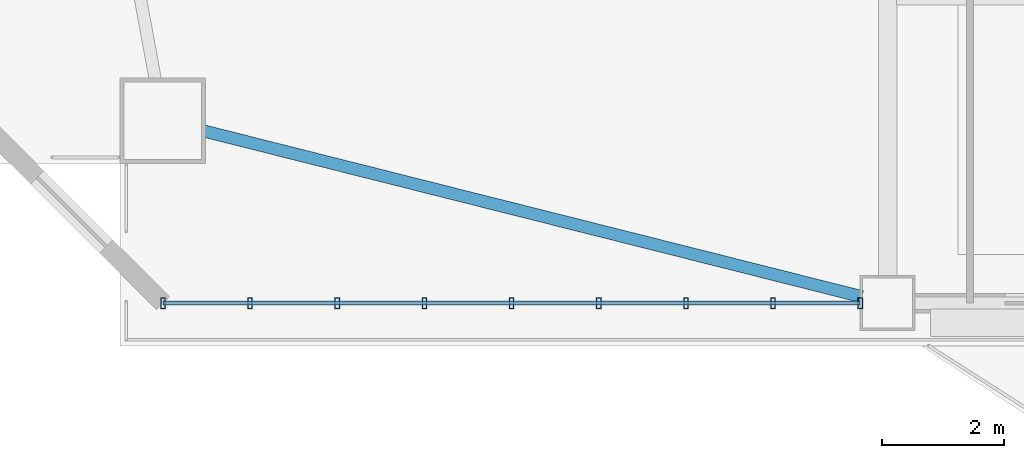
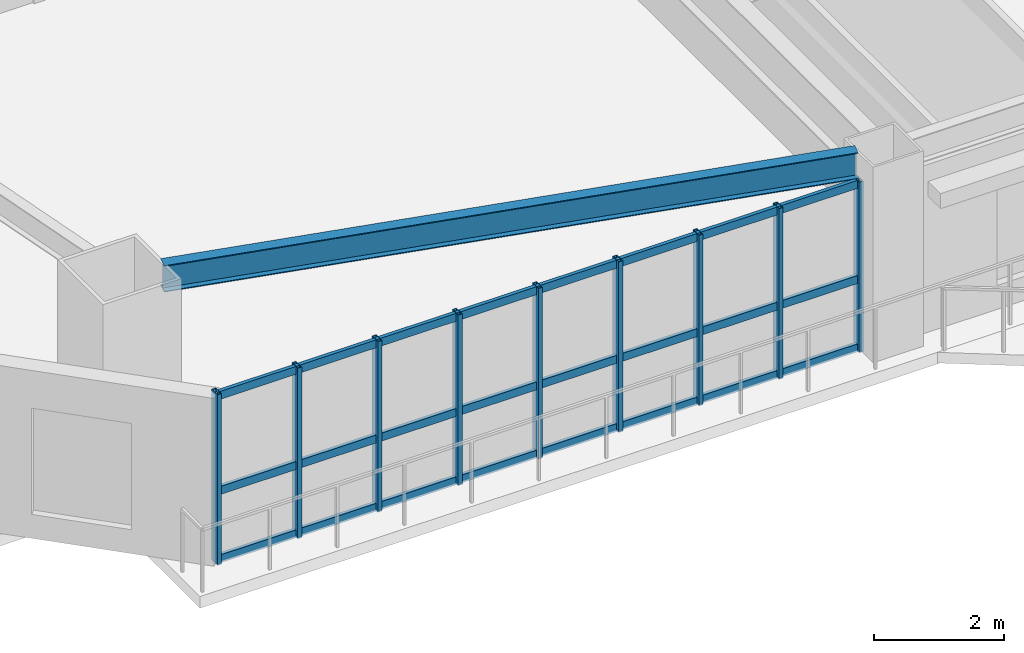
# One storey, part 2 of 15: 12 members, 1 beam, 1 element without a shape of its own.
"""IFC4 building model written with IfcOpenShell, lengths in metres."""

from ifc_helpers import new_model, si_unit, direction, frame, origin, origin_2d, place, context, subcontext, project, spatial, hollow_rectangle, i_section, extrude, source, transform, mapped, material, layer, layer_set, material_profile, profile_set, type_object, element, aggregate, save


model = new_model("IFC4")

# Units and contexts
model_context = context("Model", 3, precision=1e-05, world=origin(), true_north=direction((0.0, 1.0)))
body_context = subcontext(model_context, "Body", "Model", "MODEL_VIEW")
ifc_project = project(units=[si_unit("LENGTHUNIT", "METRE"), si_unit("AREAUNIT", "SQUARE_METRE"), si_unit("VOLUMEUNIT", "CUBIC_METRE"), si_unit("PLANEANGLEUNIT", "RADIAN"), si_unit("MASSUNIT", "GRAM", prefix="KILO")], contexts=[model_context])

# Site, building, storey
site_placement = place(None, origin())
site = spatial("IfcSite", under=ifc_project, at=site_placement, CompositionType="ELEMENT")
building_placement = place(site_placement, origin())
building = spatial("IfcBuilding", under=site, at=building_placement, Name="Giltprow Tower", CompositionType="ELEMENT")
storey_placement = place(building_placement, frame((0.0, 0.0, 123.10009765625)))
storey = spatial("IfcBuildingStorey", under=building, at=storey_placement, Name="L30", CompositionType="ELEMENT", Elevation=123.10009765625)

# Beam
ifc_material_1 = material(Name="Structural steel Q355B", Category="steel")
ifc_material_profile_1 = material_profile(ifc_material_1, i_section(OverallWidth=0.199951171875, OverallDepth=0.5, WebThickness=0.010009765625, FlangeThickness=0.01611328125, at=origin_2d()), Name="HN 500x200x10x16")
ifc_profile_set_1 = profile_set([ifc_material_profile_1], Name="Structural steel Q355B")
beam_type = type_object("IfcBeamType", Name="BM-SPAN-HN500", PredefinedType="SPANDREL", material=ifc_profile_set_1)
shared_shape_1 = source(origin(), body_context, "Body", "SweptSolid", [
    extrude(i_section(OverallWidth=0.199951171875, OverallDepth=0.5, WebThickness=0.010009765625, FlangeThickness=0.01611328125, at=origin_2d()), origin(), (0.0, 0.0, 1.0), 11.130859375),
])
beam_placement = place(storey_placement, frame((8.634033203125, 10.342041015625, 3.429931640625), z_axis=(0.969728226773, -0.244186744519, 0.0), x_axis=(0.244186744519, 0.969728226773, 0.0)))
element("IfcBeam", 1, at=beam_placement, inside=storey, type_object=beam_type, Name="L30 Perimeter Spandrel Beam MC_SW-S1", PredefinedType="SPANDREL", context=body_context, shape_type="MappedRepresentation", body=[
    mapped(shared_shape_1, transform((0.0, 0.0, 0.0), x_axis=(1.0, 0.0, 0.0), y_axis=(0.0, 1.0, 0.0), z_axis=(0.0, 0.0, 1.0), scale=1.0)),
])

# Curtain wall, members
ifc_material_2 = material(Name="Anodized bronze", Category="metal")
ifc_layer = layer(ifc_material_2, 0.179931640625, Name="Anodized bronze")
ifc_layer_set = layer_set([ifc_layer], Name="Anodized bronze")
curtain_wall_type = type_object("IfcCurtainWallType", Name="CW-OFF-RECESSED", PredefinedType="NOTDEFINED", material=ifc_layer_set)
curtain_wall_placement = place(storey_placement, origin())
curtain_wall = element("IfcCurtainWall", 2, at=curtain_wall_placement, inside=storey, type_object=curtain_wall_type, Name="L30 South Recessed Curtain Wall 1", PredefinedType="NOTDEFINED")
ifc_material_profile_2 = material_profile(ifc_material_2, hollow_rectangle(XDim=0.074951171875, YDim=0.179931640625, WallThickness=0.008056640625, at=origin_2d()), Name="RHS 180x75x8")
ifc_profile_set_2 = profile_set([ifc_material_profile_2], Name="Anodized bronze")
member_type_1 = type_object("IfcMemberType", Name="CW-MULLION-180x75", PredefinedType="MULLION", material=ifc_profile_set_2)
shared_shape_2 = source(origin(), body_context, "Body", "SweptSolid", [
    extrude(hollow_rectangle(XDim=0.074951171875, YDim=0.179931640625, WallThickness=0.008056640625, at=origin_2d()), origin(), (0.0, 0.0, 1.0), 3.21484375),
])
member_1_placement = place(storey_placement, frame((7.969970703125, 7.51806640625, -0.02001953125), z_axis=(0.0, 0.0, 1.0), x_axis=(1.0, 0.0, 0.0)))
member_1 = element("IfcMember", 3, at=member_1_placement, type_object=member_type_1, Name="L30 South Recessed Curtain Wall 1 Mullion 1", PredefinedType="MULLION", context=body_context, shape_type="MappedRepresentation", body=[
    mapped(shared_shape_2, transform((0.0, 0.0, 0.0), x_axis=(1.0, 0.0, 0.0), y_axis=(0.0, 1.0, 0.0), z_axis=(0.0, 0.0, 1.0), scale=1.0)),
])
member_2_placement = place(storey_placement, frame((9.39892578125, 7.51806640625, -0.02001953125), z_axis=(0.0, 0.0, 1.0), x_axis=(1.0, 0.0, 0.0)))
member_2 = element("IfcMember", 4, at=member_2_placement, type_object=member_type_1, Name="L30 South Recessed Curtain Wall 1 Mullion 2", PredefinedType="MULLION", context=body_context, shape_type="MappedRepresentation", body=[
    mapped(shared_shape_2, transform((0.0, 0.0, 0.0), x_axis=(1.0, 0.0, 0.0), y_axis=(0.0, 1.0, 0.0), z_axis=(0.0, 0.0, 1.0), scale=1.0)),
])
member_3_placement = place(storey_placement, frame((10.827880859375, 7.51806640625, -0.02001953125), z_axis=(0.0, 0.0, 1.0), x_axis=(1.0, 0.0, 0.0)))
member_3 = element("IfcMember", 5, at=member_3_placement, type_object=member_type_1, Name="L30 South Recessed Curtain Wall 1 Mullion 3", PredefinedType="MULLION", context=body_context, shape_type="MappedRepresentation", body=[
    mapped(shared_shape_2, transform((0.0, 0.0, 0.0), x_axis=(1.0, 0.0, 0.0), y_axis=(0.0, 1.0, 0.0), z_axis=(0.0, 0.0, 1.0), scale=1.0)),
])
member_4_placement = place(storey_placement, frame((12.256103515625, 7.51806640625, -0.02001953125), z_axis=(0.0, 0.0, 1.0), x_axis=(1.0, 0.0, 0.0)))
member_4 = element("IfcMember", 6, at=member_4_placement, type_object=member_type_1, Name="L30 South Recessed Curtain Wall 1 Mullion 4", PredefinedType="MULLION", context=body_context, shape_type="MappedRepresentation", body=[
    mapped(shared_shape_2, transform((0.0, 0.0, 0.0), x_axis=(1.0, 0.0, 0.0), y_axis=(0.0, 1.0, 0.0), z_axis=(0.0, 0.0, 1.0), scale=1.0)),
])
member_5_placement = place(storey_placement, frame((13.68505859375, 7.51806640625, -0.02001953125), z_axis=(0.0, 0.0, 1.0), x_axis=(1.0, 0.0, 0.0)))
member_5 = element("IfcMember", 7, at=member_5_placement, type_object=member_type_1, Name="L30 South Recessed Curtain Wall 1 Mullion 5", PredefinedType="MULLION", context=body_context, shape_type="MappedRepresentation", body=[
    mapped(shared_shape_2, transform((0.0, 0.0, 0.0), x_axis=(1.0, 0.0, 0.0), y_axis=(0.0, 1.0, 0.0), z_axis=(0.0, 0.0, 1.0), scale=1.0)),
])
member_6_placement = place(storey_placement, frame((15.114013671875, 7.51806640625, -0.02001953125), z_axis=(0.0, 0.0, 1.0), x_axis=(1.0, 0.0, 0.0)))
member_6 = element("IfcMember", 8, at=member_6_placement, type_object=member_type_1, Name="L30 South Recessed Curtain Wall 1 Mullion 6", PredefinedType="MULLION", context=body_context, shape_type="MappedRepresentation", body=[
    mapped(shared_shape_2, transform((0.0, 0.0, 0.0), x_axis=(1.0, 0.0, 0.0), y_axis=(0.0, 1.0, 0.0), z_axis=(0.0, 0.0, 1.0), scale=1.0)),
])
member_7_placement = place(storey_placement, frame((16.54296875, 7.51806640625, -0.02001953125), z_axis=(0.0, 0.0, 1.0), x_axis=(1.0, 0.0, 0.0)))
member_7 = element("IfcMember", 9, at=member_7_placement, type_object=member_type_1, Name="L30 South Recessed Curtain Wall 1 Mullion 7", PredefinedType="MULLION", context=body_context, shape_type="MappedRepresentation", body=[
    mapped(shared_shape_2, transform((0.0, 0.0, 0.0), x_axis=(1.0, 0.0, 0.0), y_axis=(0.0, 1.0, 0.0), z_axis=(0.0, 0.0, 1.0), scale=1.0)),
])
member_8_placement = place(storey_placement, frame((17.970947265625, 7.51806640625, -0.02001953125), z_axis=(0.0, 0.0, 1.0), x_axis=(1.0, 0.0, 0.0)))
member_8 = element("IfcMember", 10, at=member_8_placement, type_object=member_type_1, Name="L30 South Recessed Curtain Wall 1 Mullion 8", PredefinedType="MULLION", context=body_context, shape_type="MappedRepresentation", body=[
    mapped(shared_shape_2, transform((0.0, 0.0, 0.0), x_axis=(1.0, 0.0, 0.0), y_axis=(0.0, 1.0, 0.0), z_axis=(0.0, 0.0, 1.0), scale=1.0)),
])
member_9_placement = place(storey_placement, frame((19.39990234375, 7.51806640625, -0.02001953125), z_axis=(0.0, 0.0, 1.0), x_axis=(1.0, 0.0, 0.0)))
member_9 = element("IfcMember", 11, at=member_9_placement, type_object=member_type_1, Name="L30 South Recessed Curtain Wall 1 Mullion 9", PredefinedType="MULLION", context=body_context, shape_type="MappedRepresentation", body=[
    mapped(shared_shape_2, transform((0.0, 0.0, 0.0), x_axis=(1.0, 0.0, 0.0), y_axis=(0.0, 1.0, 0.0), z_axis=(0.0, 0.0, 1.0), scale=1.0)),
])
ifc_material_profile_3 = material_profile(ifc_material_2, hollow_rectangle(XDim=0.06494140625, YDim=0.14990234375, WallThickness=0.006103515625, at=origin_2d()), Name="RHS 150x65x6")
ifc_profile_set_3 = profile_set([ifc_material_profile_3], Name="Anodized bronze")
member_type_2 = type_object("IfcMemberType", Name="CW-TRANSOM-150x65", PredefinedType="USERDEFINED", material=ifc_profile_set_3)
shared_shape_3 = source(origin(), body_context, "Body", "SweptSolid", [
    extrude(hollow_rectangle(XDim=0.06494140625, YDim=0.14990234375, WallThickness=0.006103515625, at=origin_2d()), origin(), (0.0, 0.0, 1.0), 11.429931640625),
])
member_10_placement = place(storey_placement, frame((7.969970703125, 7.51806640625, 0.039794921875), z_axis=(1.0, 0.0, 0.0), x_axis=(0.0, 1.0, 0.0)))
member_10 = element("IfcMember", 12, at=member_10_placement, type_object=member_type_2, Name="L30 South Recessed Curtain Wall 1 Transom 1", ObjectType="TRANSOM", PredefinedType="USERDEFINED", context=body_context, shape_type="MappedRepresentation", body=[
    mapped(shared_shape_3, transform((0.0, 0.0, 0.0), x_axis=(1.0, 0.0, 0.0), y_axis=(0.0, 1.0, 0.0), z_axis=(0.0, 0.0, 1.0), scale=1.0)),
])
member_11_placement = place(storey_placement, frame((7.969970703125, 7.51806640625, 1.326904296875), z_axis=(1.0, 0.0, 0.0), x_axis=(0.0, 1.0, 0.0)))
member_11 = element("IfcMember", 13, at=member_11_placement, type_object=member_type_2, Name="L30 South Recessed Curtain Wall 1 Transom 2", ObjectType="TRANSOM", PredefinedType="USERDEFINED", context=body_context, shape_type="MappedRepresentation", body=[
    mapped(shared_shape_3, transform((0.0, 0.0, 0.0), x_axis=(1.0, 0.0, 0.0), y_axis=(0.0, 1.0, 0.0), z_axis=(0.0, 0.0, 1.0), scale=1.0)),
])
member_12_placement = place(storey_placement, frame((7.969970703125, 7.51806640625, 3.119873046875), z_axis=(1.0, 0.0, 0.0), x_axis=(0.0, 1.0, 0.0)))
member_12 = element("IfcMember", 14, at=member_12_placement, type_object=member_type_2, Name="L30 South Recessed Curtain Wall 1 Transom 3", ObjectType="TRANSOM", PredefinedType="USERDEFINED", context=body_context, shape_type="MappedRepresentation", body=[
    mapped(shared_shape_3, transform((0.0, 0.0, 0.0), x_axis=(1.0, 0.0, 0.0), y_axis=(0.0, 1.0, 0.0), z_axis=(0.0, 0.0, 1.0), scale=1.0)),
])
aggregate(curtain_wall, [member_1, member_2, member_3, member_4, member_5, member_6, member_7, member_8, member_9, member_10, member_11, member_12])

save(model, "model.ifc")
